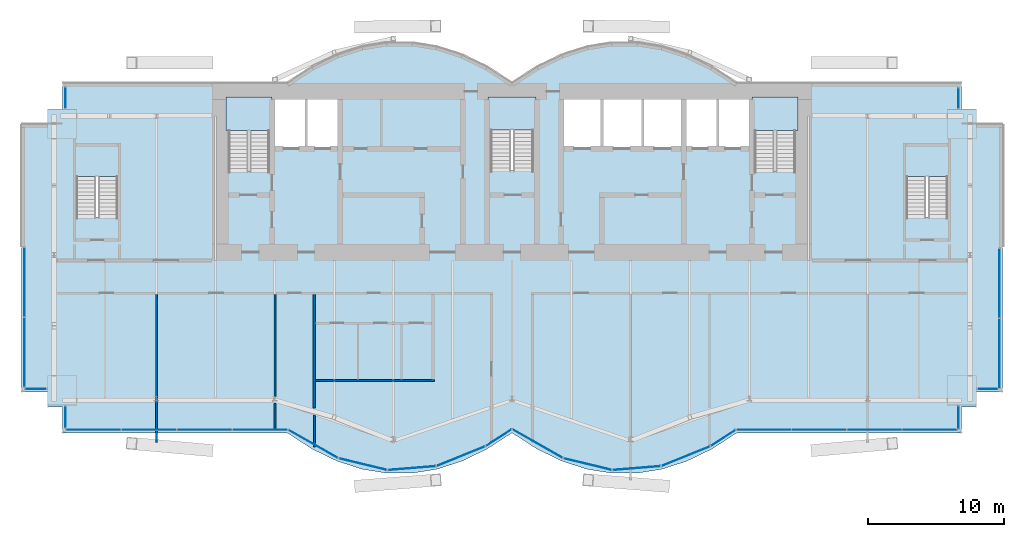
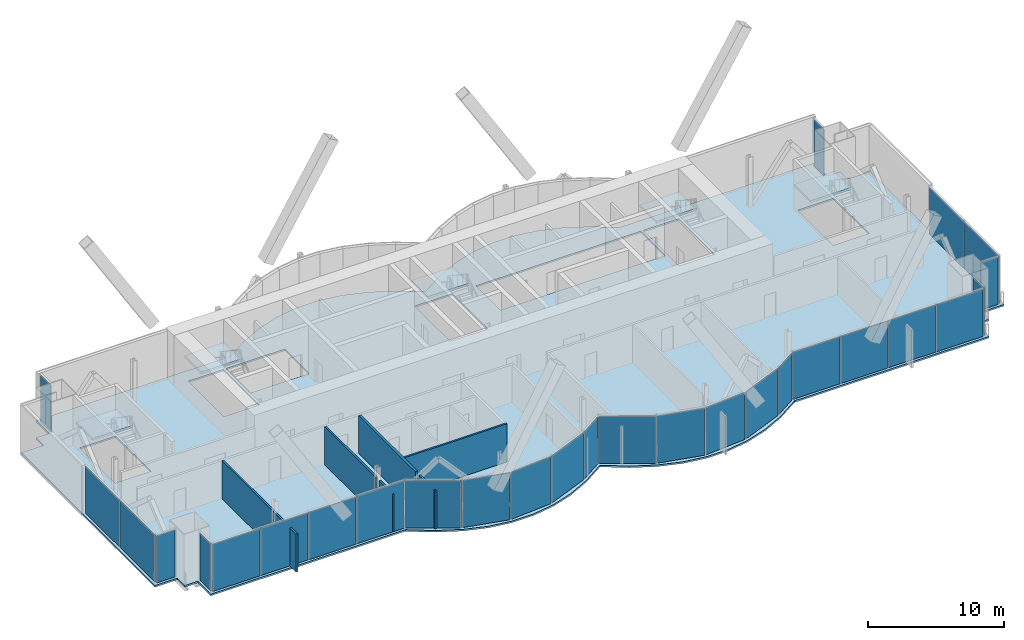
# One storey, part 12 of 19: 28 plates, 6 slabs, 6 walls, 17 elements without a shape of their own.
"""IFC4 building model written with IfcOpenShell, lengths in metres."""

from ifc_helpers import new_model, si_unit, direction, frame, frame_2d, origin, origin_2d, place, context, subcontext, project, spatial, polyline, rectangle, outline, extrude, material, layer, layer_set, type_object, element, aggregate, save


model = new_model("IFC4")

# Units and contexts
model_context = context("Model", 3, precision=1e-05, world=origin(), true_north=direction((0.0, 1.0)))
body_context = subcontext(model_context, "Body", "Model", "MODEL_VIEW")
ifc_project = project(units=[si_unit("LENGTHUNIT", "METRE"), si_unit("AREAUNIT", "SQUARE_METRE"), si_unit("VOLUMEUNIT", "CUBIC_METRE"), si_unit("PLANEANGLEUNIT", "RADIAN"), si_unit("MASSUNIT", "GRAM", prefix="KILO")], contexts=[model_context])

# Site, building, storey
site_placement = place(None, origin())
site = spatial("IfcSite", under=ifc_project, at=site_placement, CompositionType="ELEMENT")
building_placement = place(site_placement, origin())
building = spatial("IfcBuilding", under=site, at=building_placement, Name="Bicima Exchange Tower", CompositionType="ELEMENT")
storey_placement = place(building_placement, frame((0.0, 0.0, 324.5)))
storey = spatial("IfcBuildingStorey", under=building, at=storey_placement, Name="L73", CompositionType="ELEMENT", Elevation=324.5)

# Slab
ifc_material_1 = material(Name="Concrete C40/50", Category="concrete")
ifc_layer_1 = layer(ifc_material_1, 0.14990234375)
ifc_layer_set_1 = layer_set([ifc_layer_1], Name="Concrete C40/50")
slab_type_1 = type_object("IfcSlabType", Name="Composite floor slab 150", PredefinedType="FLOOR", material=ifc_layer_set_1)
slab_1_placement = place(storey_placement, frame((0.0, 0.0, -0.14990234375)))
element("IfcSlab", 1, at=slab_1_placement, inside=storey, type_object=slab_type_1, Name="Floor slab", PredefinedType="FLOOR", context=body_context, shape_type="SweptSolid", body=[
    extrude(outline(polyline([(-36.0, -22.652099609375), (-36.0, -3.0), (-34.10009765625, -3.0), (-34.10009765625, -1.89990234375), (-33.0, -1.89990234375), (-33.0, 0.0), (-16.5, 0.0), (-14.666748046875, 1.185302734375), (-12.833251953125, 2.07421875), (-11.0, 2.666748046875), (-9.166748046875, 2.962890625), (-7.333251953125, 2.962890625), (-5.5, 2.666748046875), (-3.666748046875, 2.07421875), (-1.833251953125, 1.185302734375), (0.0, 0.0), (1.833251953125, 1.185302734375), (3.666748046875, 2.07421875), (5.5, 2.666748046875), (7.333251953125, 2.962890625), (9.166748046875, 2.962890625), (11.0, 2.666748046875), (12.833251953125, 2.07421875), (14.666748046875, 1.185302734375), (16.5, 0.0), (33.0, 0.0), (33.0, -1.89990234375), (34.10009765625, -1.89990234375), (34.10009765625, -3.0), (36.0, -3.0), (36.0, -22.652099609375), (34.10009765625, -22.652099609375), (34.10009765625, -23.751953125), (33.0, -23.751953125), (33.0, -25.652099609375), (16.5, -25.652099609375), (14.666748046875, -26.837158203125), (12.833251953125, -27.72607421875), (11.0, -28.318603515625), (9.166748046875, -28.614990234375), (7.333251953125, -28.614990234375), (5.5, -28.318603515625), (3.666748046875, -27.72607421875), (1.833251953125, -26.837158203125), (0.0, -25.652099609375), (-1.833251953125, -26.837158203125), (-3.666748046875, -27.72607421875), (-5.5, -28.318603515625), (-7.333251953125, -28.614990234375), (-9.166748046875, -28.614990234375), (-11.0, -28.318603515625), (-12.833251953125, -27.72607421875), (-14.666748046875, -26.837158203125), (-16.5, -25.652099609375), (-33.0, -25.652099609375), (-33.0, -23.751953125), (-34.10009765625, -23.751953125), (-34.10009765625, -22.652099609375), (-36.0, -22.652099609375)]), holes=[polyline([(-28.925048828125, -9.824951171875), (-28.925048828125, -4.625), (-31.97509765625, -4.625), (-31.97509765625, -9.824951171875), (-28.925048828125, -9.824951171875)]), polyline([(-20.800048828125, -6.449951171875), (-17.800048828125, -6.449951171875), (-17.800048828125, -1.199951171875), (-20.800048828125, -1.199951171875), (-20.800048828125, -6.449951171875)]), polyline([(-1.574951171875, -6.39990234375), (1.574951171875, -6.39990234375), (1.574951171875, -1.199951171875), (-1.574951171875, -1.199951171875), (-1.574951171875, -6.39990234375)]), polyline([(-12.60009765625, -1.199951171875), (-15.10009765625, -1.199951171875), (-17.60009765625, -1.199951171875), (-17.60009765625, -4.800048828125), (-15.10009765625, -4.800048828125), (-12.60009765625, -4.800048828125), (-12.60009765625, -1.199951171875)]), polyline([(3.60009765625, -4.800048828125), (6.60009765625, -4.800048828125), (9.60009765625, -4.800048828125), (12.60009765625, -4.800048828125), (15.10009765625, -4.800048828125), (17.60009765625, -4.800048828125), (17.60009765625, -1.199951171875), (15.10009765625, -1.199951171875), (12.60009765625, -1.199951171875), (9.60009765625, -1.199951171875), (6.60009765625, -1.199951171875), (3.60009765625, -1.199951171875), (3.60009765625, -4.800048828125)]), polyline([(31.97509765625, -9.824951171875), (31.97509765625, -4.625), (28.925048828125, -4.625), (28.925048828125, -9.824951171875), (31.97509765625, -9.824951171875)]), polyline([(17.800048828125, -6.449951171875), (20.800048828125, -6.449951171875), (20.800048828125, -1.199951171875), (17.800048828125, -1.199951171875), (17.800048828125, -6.449951171875)])]), origin(), (0.0, 0.0, 1.0), 0.14990234375),
])

# Curtain wall, plate
ifc_material_2 = material(Name="Anodised bronze aluminium", Category="aluminium")
curtain_wall_type_1 = type_object("IfcCurtainWallType", Name="End face glass wall", PredefinedType="NOTDEFINED", material=ifc_material_2)
curtain_wall_1_placement = place(storey_placement, origin())
curtain_wall_1 = element("IfcCurtainWall", 2, at=curtain_wall_1_placement, inside=storey, type_object=curtain_wall_type_1, Name="End face glass wall L73 run 2", PredefinedType="NOTDEFINED")
ifc_material_3 = material(Name="Bronze tinted glass", Category="glass")
ifc_layer_2 = layer(ifc_material_3, 0.031982421875)
ifc_layer_set_2 = layer_set([ifc_layer_2], Name="Bronze tinted glass")
plate_type_1 = type_object("IfcPlateType", Name="End face glass wall glass panel 32", PredefinedType="CURTAIN_PANEL", material=ifc_layer_set_2)
plate_1_placement = place(storey_placement, frame((-35.77001953125, -19.741455078125, 0.0), z_axis=(0.0, 0.0, 1.0), x_axis=(0.0, -1.0, 0.0)))
plate_1 = element("IfcPlate", 3, at=plate_1_placement, type_object=plate_type_1, Name="End face glass wall panel 2.1", PredefinedType="CURTAIN_PANEL", context=body_context, shape_type="SweptSolid", body=[
    extrude(rectangle(XDim=5.0810546875, YDim=0.031982421875, at=origin_2d()), origin(), (0.0, 0.0, 1.0), 4.2099609375),
])

curtain_wall_2_placement = place(storey_placement, origin())
curtain_wall_2 = element("IfcCurtainWall", 4, at=curtain_wall_2_placement, inside=storey, type_object=curtain_wall_type_1, Name="End face glass wall L73 run 19", PredefinedType="NOTDEFINED")
plate_2_placement = place(storey_placement, frame((35.77001953125, -19.821533203125, 0.0), z_axis=(0.0, 0.0, 1.0), x_axis=(0.0, 1.0, 0.0)))
plate_2 = element("IfcPlate", 5, at=plate_2_placement, type_object=plate_type_1, Name="End face glass wall panel 1.1", PredefinedType="CURTAIN_PANEL", context=body_context, shape_type="SweptSolid", body=[
    extrude(rectangle(XDim=5.0810546875, YDim=0.031982421875, at=origin_2d()), origin(), (0.0, 0.0, 1.0), 4.2099609375),
])

# Plate
ifc_material_4 = material(Name="Bronze anodised aluminium", Category="aluminium")
ifc_layer_3 = layer(ifc_material_4, 0.031982421875)
ifc_layer_set_3 = layer_set([ifc_layer_3], Name="Bronze anodised aluminium")
plate_type_2 = type_object("IfcPlateType", Name="End face glass wall spandrel panel 32", PredefinedType="CURTAIN_PANEL", material=ifc_layer_set_3)
plate_3_placement = place(storey_placement, frame((-35.77001953125, -14.6005859375, 0.0), z_axis=(0.0, 0.0, 1.0), x_axis=(0.0, -1.0, 0.0)))
plate_3 = element("IfcPlate", 6, at=plate_3_placement, type_object=plate_type_2, Name="End face spandrel wall panel 1.1", PredefinedType="CURTAIN_PANEL", context=body_context, shape_type="SweptSolid", body=[
    extrude(rectangle(XDim=5.0810546875, YDim=0.031982421875, at=origin_2d()), origin(), (0.0, 0.0, 1.0), 4.2099609375),
])

aggregate(curtain_wall_1, [plate_3, plate_1])

plate_4_placement = place(storey_placement, frame((35.77001953125, -14.680419921875, 0.0), z_axis=(0.0, 0.0, 1.0), x_axis=(0.0, 1.0, 0.0)))
plate_4 = element("IfcPlate", 7, at=plate_4_placement, type_object=plate_type_2, Name="End face spandrel wall panel 2.1", PredefinedType="CURTAIN_PANEL", context=body_context, shape_type="SweptSolid", body=[
    extrude(rectangle(XDim=5.0810546875, YDim=0.031982421875, at=origin_2d()), origin(), (0.0, 0.0, 1.0), 4.2099609375),
])

aggregate(curtain_wall_2, [plate_2, plate_4])

# Curtain wall, plate
curtain_wall_type_2 = type_object("IfcCurtainWallType", Name="Front glass wall", PredefinedType="NOTDEFINED", material=ifc_material_2)
curtain_wall_3_placement = place(storey_placement, origin())
curtain_wall_3 = element("IfcCurtainWall", 8, at=curtain_wall_3_placement, inside=storey, type_object=curtain_wall_type_2, Name="Front glass wall L73 run 1", PredefinedType="NOTDEFINED")
ifc_layer_4 = layer(ifc_material_3, 0.031982421875)
ifc_layer_set_4 = layer_set([ifc_layer_4], Name="Bronze tinted glass")
plate_type_3 = type_object("IfcPlateType", Name="Front glass wall glass panel 32", PredefinedType="CURTAIN_PANEL", material=ifc_layer_set_4)
plate_5_placement = place(storey_placement, frame((-32.77001953125, -1.06494140625, 0.0), z_axis=(0.0, 0.0, 1.0), x_axis=(0.0, -1.0, 0.0)))
plate_5 = element("IfcPlate", 9, at=plate_5_placement, type_object=plate_type_3, Name="Front glass wall panel 1.1", PredefinedType="CURTAIN_PANEL", context=body_context, shape_type="SweptSolid", body=[
    extrude(rectangle(XDim=1.550048828125, YDim=0.031982421875, at=origin_2d()), origin(), (0.0, 0.0, 1.0), 4.2099609375),
])
aggregate(curtain_wall_3, [plate_5])

curtain_wall_4_placement = place(storey_placement, origin())
curtain_wall_4 = element("IfcCurtainWall", 10, at=curtain_wall_4_placement, inside=storey, type_object=curtain_wall_type_2, Name="Front glass wall L73 run 3", PredefinedType="NOTDEFINED")
plate_6_placement = place(storey_placement, frame((-34.93505859375, -22.422119140625, 0.0), z_axis=(0.0, 0.0, 1.0), x_axis=(1.0, 0.0, 0.0)))
plate_6 = element("IfcPlate", 11, at=plate_6_placement, type_object=plate_type_3, Name="Front glass wall panel 1.1", PredefinedType="CURTAIN_PANEL", context=body_context, shape_type="SweptSolid", body=[
    extrude(rectangle(XDim=1.550048828125, YDim=0.031982421875, at=origin_2d()), origin(), (0.0, 0.0, 1.0), 4.2099609375),
])
aggregate(curtain_wall_4, [plate_6])

curtain_wall_5_placement = place(storey_placement, origin())
curtain_wall_5 = element("IfcCurtainWall", 12, at=curtain_wall_5_placement, inside=storey, type_object=curtain_wall_type_2, Name="Front glass wall L73 run 4", PredefinedType="NOTDEFINED")
plate_7_placement = place(storey_placement, frame((-32.77001953125, -24.486083984375, 0.0), z_axis=(0.0, 0.0, 1.0), x_axis=(0.0, -1.0, 0.0)))
plate_7 = element("IfcPlate", 13, at=plate_7_placement, type_object=plate_type_3, Name="Front glass wall panel 1.1", PredefinedType="CURTAIN_PANEL", context=body_context, shape_type="SweptSolid", body=[
    extrude(rectangle(XDim=1.592041015625, YDim=0.031982421875, at=origin_2d()), origin(), (0.0, 0.0, 1.0), 4.2099609375),
])
aggregate(curtain_wall_5, [plate_7])

# Curtain wall, plates
curtain_wall_6_placement = place(storey_placement, origin())
curtain_wall_6 = element("IfcCurtainWall", 14, at=curtain_wall_6_placement, inside=storey, type_object=curtain_wall_type_2, Name="Front glass wall L73 run 5", PredefinedType="NOTDEFINED")
plate_8_placement = place(storey_placement, frame((-30.705322265625, -25.422119140625, 0.0), z_axis=(0.0, 0.0, 1.0), x_axis=(1.0, 0.0, 0.0)))
plate_8 = element("IfcPlate", 15, at=plate_8_placement, type_object=plate_type_3, Name="Front glass wall panel 1.1", PredefinedType="CURTAIN_PANEL", context=body_context, shape_type="SweptSolid", body=[
    extrude(rectangle(XDim=4.009521484375, YDim=0.031982421875, at=origin_2d()), origin(), (0.0, 0.0, 1.0), 4.2099609375),
])
plate_9_placement = place(storey_placement, frame((-26.6357421875, -25.422119140625, 0.0), z_axis=(0.0, 0.0, 1.0), x_axis=(1.0, 0.0, 0.0)))
plate_9 = element("IfcPlate", 16, at=plate_9_placement, type_object=plate_type_3, Name="Front glass wall panel 2.1", PredefinedType="CURTAIN_PANEL", context=body_context, shape_type="SweptSolid", body=[
    extrude(rectangle(XDim=4.009521484375, YDim=0.031982421875, at=origin_2d()), origin(), (0.0, 0.0, 1.0), 4.2099609375),
])
plate_10_placement = place(storey_placement, frame((-18.496826171875, -25.422119140625, 0.0), z_axis=(0.0, 0.0, 1.0), x_axis=(1.0, 0.0, 0.0)))
plate_10 = element("IfcPlate", 17, at=plate_10_placement, type_object=plate_type_3, Name="Front glass wall panel 4.1", PredefinedType="CURTAIN_PANEL", context=body_context, shape_type="SweptSolid", body=[
    extrude(rectangle(XDim=4.009521484375, YDim=0.031982421875, at=origin_2d()), origin(), (0.0, 0.0, 1.0), 4.2099609375),
])

curtain_wall_7_placement = place(storey_placement, origin())
curtain_wall_7 = element("IfcCurtainWall", 18, at=curtain_wall_7_placement, inside=storey, type_object=curtain_wall_type_2, Name="Front glass wall L73 run 6", PredefinedType="NOTDEFINED")
plate_11_placement = place(storey_placement, frame((-7.35107421875, -28.23974609375, 0.0), z_axis=(0.0, 0.0, 1.0), x_axis=(0.99674744821, 0.080588612633, 0.0)))
plate_11 = element("IfcPlate", 19, at=plate_11_placement, type_object=plate_type_3, Name="Front glass wall panel 1.1", PredefinedType="CURTAIN_PANEL", context=body_context, shape_type="SweptSolid", body=[
    extrude(rectangle(XDim=3.486083984375, YDim=0.031982421875, at=origin_2d()), origin(), (0.0, 0.0, 1.0), 4.2099609375),
])
plate_12_placement = place(storey_placement, frame((-3.750244140625, -27.365478515625, 0.0), z_axis=(0.0, 0.0, 1.0), x_axis=(0.92714396679, 0.374705304, 0.0)))
plate_12 = element("IfcPlate", 20, at=plate_12_placement, type_object=plate_type_3, Name="Front glass wall panel 1.1", PredefinedType="CURTAIN_PANEL", context=body_context, shape_type="SweptSolid", body=[
    extrude(rectangle(XDim=3.771240234375, YDim=0.031982421875, at=origin_2d()), origin(), (0.0, 0.0, 1.0), 4.2099609375),
])
plate_13_placement = place(storey_placement, frame((-0.97314453125, -26.007080078125, 0.0), z_axis=(0.0, 0.0, 1.0), x_axis=(0.839798994301, 0.542897457326, 0.0)))
plate_13 = element("IfcPlate", 21, at=plate_13_placement, type_object=plate_type_3, Name="Front glass wall panel 1.1", PredefinedType="CURTAIN_PANEL", context=body_context, shape_type="SweptSolid", body=[
    extrude(rectangle(XDim=2.197509765625, YDim=0.031982421875, at=origin_2d()), origin(), (0.0, 0.0, 1.0), 4.2099609375),
])

curtain_wall_8_placement = place(storey_placement, origin())
curtain_wall_8 = element("IfcCurtainWall", 22, at=curtain_wall_8_placement, inside=storey, type_object=curtain_wall_type_2, Name="Front glass wall L73 run 11", PredefinedType="NOTDEFINED")
plate_14_placement = place(storey_placement, frame((1.876220703125, -26.4453125, 0.0), z_axis=(0.0, 0.0, 1.0), x_axis=(0.869274147378, -0.494330311331, 0.0)))
plate_14 = element("IfcPlate", 23, at=plate_14_placement, type_object=plate_type_3, Name="Front glass wall panel 1.1", PredefinedType="CURTAIN_PANEL", context=body_context, shape_type="SweptSolid", body=[
    extrude(rectangle(XDim=4.197021484375, YDim=0.031982421875, at=origin_2d()), origin(), (0.0, 0.0, 1.0), 4.2099609375),
])
plate_15_placement = place(storey_placement, frame((5.55224609375, -27.948486328125, 0.0), z_axis=(0.0, 0.0, 1.0), x_axis=(0.971830343553, -0.235681529503, 0.0)))
plate_15 = element("IfcPlate", 24, at=plate_15_placement, type_object=plate_type_3, Name="Front glass wall panel 1.1", PredefinedType="CURTAIN_PANEL", context=body_context, shape_type="SweptSolid", body=[
    extrude(rectangle(XDim=3.583251953125, YDim=0.031982421875, at=origin_2d()), origin(), (0.0, 0.0, 1.0), 4.2099609375),
])
plate_16_placement = place(storey_placement, frame((15.492919921875, -26.029296875, 0.0), z_axis=(0.0, 0.0, 1.0), x_axis=(0.839791413941, 0.542909183079, 0.0)))
plate_16 = element("IfcPlate", 25, at=plate_16_placement, type_object=plate_type_3, Name="Front glass wall panel 1.1", PredefinedType="CURTAIN_PANEL", context=body_context, shape_type="SweptSolid", body=[
    extrude(rectangle(XDim=2.11669921875, YDim=0.031982421875, at=origin_2d()), origin(), (0.0, 0.0, 1.0), 4.2099609375),
])

curtain_wall_9_placement = place(storey_placement, origin())
curtain_wall_9 = element("IfcCurtainWall", 26, at=curtain_wall_9_placement, inside=storey, type_object=curtain_wall_type_2, Name="Front glass wall L73 run 16", PredefinedType="NOTDEFINED")
plate_17_placement = place(storey_placement, frame((18.48681640625, -25.422119140625, 0.0), z_axis=(0.0, 0.0, 1.0), x_axis=(1.0, 0.0, 0.0)))
plate_17 = element("IfcPlate", 27, at=plate_17_placement, type_object=plate_type_3, Name="Front glass wall panel 1.1", PredefinedType="CURTAIN_PANEL", context=body_context, shape_type="SweptSolid", body=[
    extrude(rectangle(XDim=3.989501953125, YDim=0.031982421875, at=origin_2d()), origin(), (0.0, 0.0, 1.0), 4.2099609375),
])
plate_18_placement = place(storey_placement, frame((26.585693359375, -25.422119140625, 0.0), z_axis=(0.0, 0.0, 1.0), x_axis=(1.0, 0.0, 0.0)))
plate_18 = element("IfcPlate", 28, at=plate_18_placement, type_object=plate_type_3, Name="Front glass wall panel 3.1", PredefinedType="CURTAIN_PANEL", context=body_context, shape_type="SweptSolid", body=[
    extrude(rectangle(XDim=3.989501953125, YDim=0.031982421875, at=origin_2d()), origin(), (0.0, 0.0, 1.0), 4.2099609375),
])
plate_19_placement = place(storey_placement, frame((30.63525390625, -25.422119140625, 0.0), z_axis=(0.0, 0.0, 1.0), x_axis=(1.0, 0.0, 0.0)))
plate_19 = element("IfcPlate", 29, at=plate_19_placement, type_object=plate_type_3, Name="Front glass wall panel 4.1", PredefinedType="CURTAIN_PANEL", context=body_context, shape_type="SweptSolid", body=[
    extrude(rectangle(XDim=3.989501953125, YDim=0.031982421875, at=origin_2d()), origin(), (0.0, 0.0, 1.0), 4.2099609375),
])

# Curtain wall, plate
curtain_wall_10_placement = place(storey_placement, origin())
curtain_wall_10 = element("IfcCurtainWall", 30, at=curtain_wall_10_placement, inside=storey, type_object=curtain_wall_type_2, Name="Front glass wall L73 run 17", PredefinedType="NOTDEFINED")
plate_20_placement = place(storey_placement, frame((32.77001953125, -24.52587890625, 0.0), z_axis=(0.0, 0.0, 1.0), x_axis=(0.0, 1.0, 0.0)))
plate_20 = element("IfcPlate", 31, at=plate_20_placement, type_object=plate_type_3, Name="Front glass wall panel 1.1", PredefinedType="CURTAIN_PANEL", context=body_context, shape_type="SweptSolid", body=[
    extrude(rectangle(XDim=1.672119140625, YDim=0.031982421875, at=origin_2d()), origin(), (0.0, 0.0, 1.0), 4.2099609375),
])
aggregate(curtain_wall_10, [plate_20])

curtain_wall_11_placement = place(storey_placement, origin())
curtain_wall_11 = element("IfcCurtainWall", 32, at=curtain_wall_11_placement, inside=storey, type_object=curtain_wall_type_2, Name="Front glass wall L73 run 18", PredefinedType="NOTDEFINED")
plate_21_placement = place(storey_placement, frame((34.89501953125, -22.422119140625, 0.0), z_axis=(0.0, 0.0, 1.0), x_axis=(1.0, 0.0, 0.0)))
plate_21 = element("IfcPlate", 33, at=plate_21_placement, type_object=plate_type_3, Name="Front glass wall panel 1.1", PredefinedType="CURTAIN_PANEL", context=body_context, shape_type="SweptSolid", body=[
    extrude(rectangle(XDim=1.469970703125, YDim=0.031982421875, at=origin_2d()), origin(), (0.0, 0.0, 1.0), 4.2099609375),
])
aggregate(curtain_wall_11, [plate_21])

curtain_wall_12_placement = place(storey_placement, origin())
curtain_wall_12 = element("IfcCurtainWall", 34, at=curtain_wall_12_placement, inside=storey, type_object=curtain_wall_type_2, Name="Front glass wall L73 run 20", PredefinedType="NOTDEFINED")
plate_22_placement = place(storey_placement, frame((32.77001953125, -1.10498046875, 0.0), z_axis=(0.0, 0.0, 1.0), x_axis=(0.0, 1.0, 0.0)))
plate_22 = element("IfcPlate", 35, at=plate_22_placement, type_object=plate_type_3, Name="Front glass wall panel 1.1", PredefinedType="CURTAIN_PANEL", context=body_context, shape_type="SweptSolid", body=[
    extrude(rectangle(XDim=1.469970703125, YDim=0.031982421875, at=origin_2d()), origin(), (0.0, 0.0, 1.0), 4.2099609375),
])
aggregate(curtain_wall_12, [plate_22])

# Plate
ifc_layer_5 = layer(ifc_material_4, 0.031982421875)
ifc_layer_set_5 = layer_set([ifc_layer_5], Name="Bronze anodised aluminium")
plate_type_4 = type_object("IfcPlateType", Name="Front glass wall spandrel panel 32", PredefinedType="CURTAIN_PANEL", material=ifc_layer_set_5)
plate_23_placement = place(storey_placement, frame((-22.56640625, -25.422119140625, 0.0), z_axis=(0.0, 0.0, 1.0), x_axis=(1.0, 0.0, 0.0)))
plate_23 = element("IfcPlate", 36, at=plate_23_placement, type_object=plate_type_4, Name="Front spandrel wall panel 3.1", PredefinedType="CURTAIN_PANEL", context=body_context, shape_type="SweptSolid", body=[
    extrude(rectangle(XDim=4.009521484375, YDim=0.031982421875, at=origin_2d()), origin(), (0.0, 0.0, 1.0), 4.2099609375),
])

aggregate(curtain_wall_6, [plate_8, plate_9, plate_23, plate_10])

plate_24_placement = place(storey_placement, frame((-14.589599609375, -26.467041015625, 0.0), z_axis=(0.0, 0.0, 1.0), x_axis=(0.869805110681, -0.493395449343, 0.0)))
plate_24 = element("IfcPlate", 37, at=plate_24_placement, type_object=plate_type_4, Name="Front spandrel wall panel 1.1", PredefinedType="CURTAIN_PANEL", context=body_context, shape_type="SweptSolid", body=[
    extrude(rectangle(XDim=4.1162109375, YDim=0.031982421875, at=origin_2d()), origin(), (0.0, 0.0, 1.0), 4.2099609375),
])

plate_25_placement = place(storey_placement, frame((-10.94775390625, -27.948486328125, 0.0), z_axis=(0.0, 0.0, 1.0), x_axis=(0.971830343553, -0.235681529503, 0.0)))
plate_25 = element("IfcPlate", 38, at=plate_25_placement, type_object=plate_type_4, Name="Front spandrel wall panel 1.1", PredefinedType="CURTAIN_PANEL", context=body_context, shape_type="SweptSolid", body=[
    extrude(rectangle(XDim=3.583251953125, YDim=0.031982421875, at=origin_2d()), origin(), (0.0, 0.0, 1.0), 4.2099609375),
])

aggregate(curtain_wall_7, [plate_24, plate_25, plate_11, plate_12, plate_13])

plate_26_placement = place(storey_placement, frame((9.14892578125, -28.23974609375, 0.0), z_axis=(0.0, 0.0, 1.0), x_axis=(0.99674744821, 0.080588612633, 0.0)))
plate_26 = element("IfcPlate", 39, at=plate_26_placement, type_object=plate_type_4, Name="Front spandrel wall panel 1.1", PredefinedType="CURTAIN_PANEL", context=body_context, shape_type="SweptSolid", body=[
    extrude(rectangle(XDim=3.486083984375, YDim=0.031982421875, at=origin_2d()), origin(), (0.0, 0.0, 1.0), 4.2099609375),
])

plate_27_placement = place(storey_placement, frame((12.749755859375, -27.365478515625, 0.0), z_axis=(0.0, 0.0, 1.0), x_axis=(0.92714396679, 0.374705304, 0.0)))
plate_27 = element("IfcPlate", 40, at=plate_27_placement, type_object=plate_type_4, Name="Front spandrel wall panel 1.1", PredefinedType="CURTAIN_PANEL", context=body_context, shape_type="SweptSolid", body=[
    extrude(rectangle(XDim=3.771240234375, YDim=0.031982421875, at=origin_2d()), origin(), (0.0, 0.0, 1.0), 4.2099609375),
])

aggregate(curtain_wall_8, [plate_14, plate_15, plate_26, plate_27, plate_16])

plate_28_placement = place(storey_placement, frame((22.536376953125, -25.422119140625, 0.0), z_axis=(0.0, 0.0, 1.0), x_axis=(1.0, 0.0, 0.0)))
plate_28 = element("IfcPlate", 41, at=plate_28_placement, type_object=plate_type_4, Name="Front spandrel wall panel 2.1", PredefinedType="CURTAIN_PANEL", context=body_context, shape_type="SweptSolid", body=[
    extrude(rectangle(XDim=3.989501953125, YDim=0.031982421875, at=origin_2d()), origin(), (0.0, 0.0, 1.0), 4.2099609375),
])

aggregate(curtain_wall_9, [plate_17, plate_28, plate_18, plate_19])

# Stair, slab
ifc_material_5 = material(Name="Concrete C50/60", Category="concrete")
stair_type_1 = type_object("IfcStairType", Name="Exit stair", PredefinedType="HALF_TURN_STAIR", material=ifc_material_5)
stair_1_placement = place(storey_placement, origin())
stair_1 = element("IfcStair", 42, at=stair_1_placement, inside=storey, type_object=stair_type_1, Name="L73 West exit stair", PredefinedType="HALF_TURN_STAIR")
ifc_layer_6 = layer(ifc_material_5, 0.199951171875)
ifc_layer_set_6 = layer_set([ifc_layer_6], Name="Concrete C50/60")
slab_type_2 = type_object("IfcSlabType", Name="Stair landing slab", PredefinedType="LANDING", material=ifc_layer_set_6)
slab_2_placement = place(storey_placement, frame((0.0, 0.0, 2.050048828125)))
slab_2 = element("IfcSlab", 43, at=slab_2_placement, type_object=slab_type_2, Name="ST-W landing 1", PredefinedType="LANDING", context=body_context, shape_type="SweptSolid", body=[
    extrude(outline(polyline([(-17.60009765625, -3.469970703125), (-17.60009765625, -1.0), (-21.0, -1.0), (-21.0, -3.469970703125), (-17.60009765625, -3.469970703125)])), origin(), (0.0, 0.0, 1.0), 0.199951171875),
])
aggregate(stair_1, [slab_2])

stair_type_2 = type_object("IfcStairType", Name="Exit stair 1500", PredefinedType="HALF_TURN_STAIR", material=ifc_material_5)
stair_2_placement = place(storey_placement, origin())
stair_2 = element("IfcStair", 44, at=stair_2_placement, inside=storey, type_object=stair_type_2, Name="L73 Central exit stair", PredefinedType="HALF_TURN_STAIR")
slab_3_placement = place(storey_placement, frame((0.0, 0.0, 2.050048828125)))
slab_3 = element("IfcSlab", 45, at=slab_3_placement, type_object=slab_type_2, Name="ST-C landing 1", PredefinedType="LANDING", context=body_context, shape_type="SweptSolid", body=[
    extrude(outline(polyline([(1.77490234375, -3.419921875), (1.77490234375, -1.0), (-1.77490234375, -1.0), (-1.77490234375, -3.419921875), (1.77490234375, -3.419921875)])), origin(), (0.0, 0.0, 1.0), 0.199951171875),
])
aggregate(stair_2, [slab_3])

stair_3_placement = place(storey_placement, origin())
stair_3 = element("IfcStair", 46, at=stair_3_placement, inside=storey, type_object=stair_type_1, Name="L73 East exit stair", PredefinedType="HALF_TURN_STAIR")
slab_4_placement = place(storey_placement, frame((0.0, 0.0, 2.050048828125)))
slab_4 = element("IfcSlab", 47, at=slab_4_placement, type_object=slab_type_2, Name="ST-E landing 1", PredefinedType="LANDING", context=body_context, shape_type="SweptSolid", body=[
    extrude(outline(polyline([(21.0, -3.469970703125), (21.0, -1.0), (17.60009765625, -1.0), (17.60009765625, -3.469970703125), (21.0, -3.469970703125)])), origin(), (0.0, 0.0, 1.0), 0.199951171875),
])
aggregate(stair_3, [slab_4])

stair_4_placement = place(storey_placement, origin())
stair_4 = element("IfcStair", 48, at=stair_4_placement, inside=storey, type_object=stair_type_1, Name="L73 West end exit stair", PredefinedType="HALF_TURN_STAIR")
slab_5_placement = place(storey_placement, frame((0.0, 0.0, 2.050048828125)))
slab_5 = element("IfcSlab", 49, at=slab_5_placement, type_object=slab_type_2, Name="ST-WW landing 1", PredefinedType="LANDING", context=body_context, shape_type="SweptSolid", body=[
    extrude(outline(polyline([(-28.72509765625, -6.844970703125), (-28.72509765625, -4.425048828125), (-32.175048828125, -4.425048828125), (-32.175048828125, -6.844970703125), (-28.72509765625, -6.844970703125)])), origin(), (0.0, 0.0, 1.0), 0.199951171875),
])
aggregate(stair_4, [slab_5])

stair_5_placement = place(storey_placement, origin())
stair_5 = element("IfcStair", 50, at=stair_5_placement, inside=storey, type_object=stair_type_1, Name="L73 East end exit stair", PredefinedType="HALF_TURN_STAIR")
slab_6_placement = place(storey_placement, frame((0.0, 0.0, 2.050048828125)))
slab_6 = element("IfcSlab", 51, at=slab_6_placement, type_object=slab_type_2, Name="ST-EE landing 1", PredefinedType="LANDING", context=body_context, shape_type="SweptSolid", body=[
    extrude(outline(polyline([(32.175048828125, -6.844970703125), (32.175048828125, -4.425048828125), (28.72509765625, -4.425048828125), (28.72509765625, -6.844970703125), (32.175048828125, -6.844970703125)])), origin(), (0.0, 0.0, 1.0), 0.199951171875),
])
aggregate(stair_5, [slab_6])

# Walls
ifc_material_6 = material(Name="Gypsum board partition")
ifc_layer_7 = layer(ifc_material_6, 0.199951171875)
ifc_layer_set_7 = layer_set([ifc_layer_7], Name="Gypsum board partition")
wall_type_1 = type_object("IfcWallType", Name="Fire-rated gypsum partition 200 EI60", PredefinedType="PARTITIONING", material=ifc_layer_set_7)
wall_1_placement = place(storey_placement, frame((-14.5, -23.820068359375, 0.0), z_axis=(0.0, 0.0, 1.0), x_axis=(0.0, 1.0, 0.0)))
element("IfcWall", 52, at=wall_1_placement, inside=storey, type_object=wall_type_1, Name="partition wall 17", PredefinedType="PARTITIONING", context=body_context, shape_type="SweptSolid", body=[
    extrude(rectangle(XDim=8.320068359375, YDim=0.199951171875, at=frame_2d((4.16015625, 0.0))), origin(), (0.0, 0.0, 1.0), 3.418212890625),
])
ifc_layer_8 = layer(ifc_material_6, 0.14990234375)
ifc_layer_set_8 = layer_set([ifc_layer_8], Name="Gypsum board partition")
wall_type_2 = type_object("IfcWallType", Name="Gypsum partition 150", PredefinedType="PARTITIONING", material=ifc_layer_set_8)
wall_2_placement = place(storey_placement, frame((-14.39990234375, -21.800048828125, 0.0), z_axis=(0.0, 0.0, 1.0), x_axis=(1.0, 0.0, 0.0)))
element("IfcWall", 53, at=wall_2_placement, inside=storey, type_object=wall_type_2, Name="partition wall 1", PredefinedType="PARTITIONING", context=body_context, shape_type="SweptSolid", body=[
    extrude(rectangle(XDim=8.699951171875, YDim=0.14990234375, at=frame_2d((4.35009765625, 0.0))), origin(), (0.0, 0.0, 1.0), 3.418212890625),
])
wall_3_placement = place(storey_placement, frame((-26.10009765625, -26.361083984375, 0.0), z_axis=(0.0, 0.0, 1.0), x_axis=(0.0, 1.0, 0.0)))
element("IfcWall", 54, at=wall_3_placement, inside=storey, type_object=wall_type_2, Name="partition wall 13", PredefinedType="PARTITIONING", context=body_context, shape_type="SweptSolid", body=[
    extrude(rectangle(XDim=10.861083984375, YDim=0.14990234375, at=frame_2d((5.4306640625, 0.0))), origin(), (0.0, 0.0, 1.0), 3.418212890625),
])
wall_4_placement = place(storey_placement, frame((-17.39990234375, -25.43994140625, 0.0), z_axis=(0.0, 0.0, 1.0), x_axis=(0.0, 1.0, 0.0)))
element("IfcWall", 55, at=wall_4_placement, inside=storey, type_object=wall_type_2, Name="partition wall 14", PredefinedType="PARTITIONING", context=body_context, shape_type="SweptSolid", body=[
    extrude(rectangle(XDim=1.95068359375, YDim=0.14990234375, at=frame_2d((0.975341796875, 0.0))), origin(), (0.0, 0.0, 1.0), 3.418212890625),
])
wall_5_placement = place(storey_placement, frame((-17.39990234375, -23.0146484375, 0.0), z_axis=(0.0, 0.0, 1.0), x_axis=(0.0, 1.0, 0.0)))
element("IfcWall", 56, at=wall_5_placement, inside=storey, type_object=wall_type_2, Name="partition wall 15", PredefinedType="PARTITIONING", context=body_context, shape_type="SweptSolid", body=[
    extrude(rectangle(XDim=7.5146484375, YDim=0.14990234375, at=frame_2d((3.75732421875, 0.0))), origin(), (0.0, 0.0, 1.0), 3.418212890625),
])
wall_6_placement = place(storey_placement, frame((-14.5, -26.679931640625, 0.0), z_axis=(0.0, 0.0, 1.0), x_axis=(0.0, 1.0, 0.0)))
element("IfcWall", 57, at=wall_6_placement, inside=storey, type_object=wall_type_2, Name="partition wall 16", PredefinedType="PARTITIONING", context=body_context, shape_type="SweptSolid", body=[
    extrude(rectangle(XDim=2.329833984375, YDim=0.14990234375, at=frame_2d((1.1650390625, 0.0))), origin(), (0.0, 0.0, 1.0), 3.418212890625),
])

save(model, "model.ifc")
